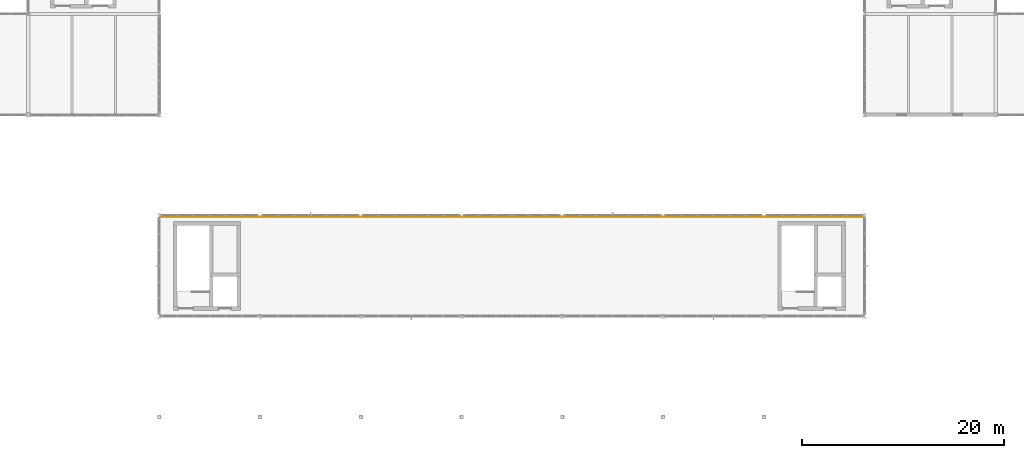
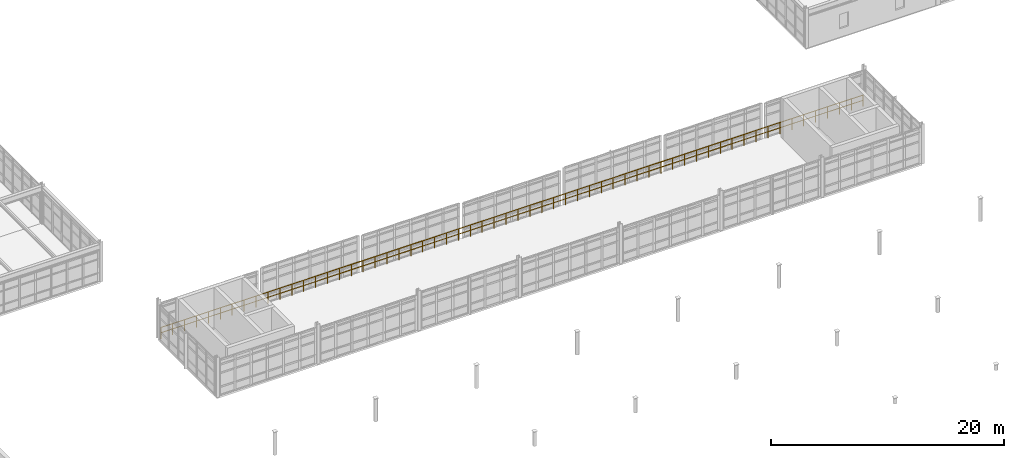
# One storey, part 116 of 122: 1 railing.
"""IFC4 building model written with IfcOpenShell, lengths in metres."""

import ifcopenshell
import ifcopenshell.guid

model = None  # the IFC model being written
_history = None  # IfcOwnerHistory: only IFC2X3 demands one
_inside = {}  # id of a spatial element -> (the spatial element, [elements in it])
_under = {}  # id of a project, library or spatial element -> (it, [spatial elements below it])
_declared = {}  # id of a project -> (the project, [libraries it declares])
_typed = {}  # id of a type object -> (the type object, [elements of that type])
_made_of = {}  # id of a material, layer set ... -> (it, [elements and type objects made of it])


def new_model(schema):
    """Start an empty IFC model of exactly this schema.

    Asked for "IFC4X3", IfcOpenShell would pick the latest addendum, in which some entities
    have other attributes; the version numbers below select the first issue.
    IFC2X3 requires an IfcOwnerHistory on every rooted entity: one is made here for all.
    """
    global model, _history
    if schema == "IFC4X3":
        model = ifcopenshell.file(schema_version=(4, 3, 0, 0))
    else:
        model = ifcopenshell.file(schema=schema)
    _inside.clear()
    _under.clear()
    _declared.clear()
    _typed.clear()
    _made_of.clear()
    _history = None
    if model.schema == "IFC2X3":
        org = make("IfcOrganization", Name="unknown")
        user = make(
            "IfcPersonAndOrganization",
            ThePerson=make("IfcPerson", FamilyName="unknown"),
            TheOrganization=org,
        )
        app = make(
            "IfcApplication",
            ApplicationDeveloper=org,
            Version="unknown",
            ApplicationFullName="unknown",
            ApplicationIdentifier="unknown",
        )
        _history = make(
            "IfcOwnerHistory",
            OwningUser=user,
            OwningApplication=app,
            ChangeAction="ADDED",
            CreationDate=0,
        )
    return model


def make(cls, **values):
    """One entity of the class cls with the attributes given. An attribute that is None is left unset."""
    return model.create_entity(
        cls, **{name: value for name, value in values.items() if value is not None}
    )


def rooted(cls, **values):
    """An entity with a GlobalId (a new one), such as an element, a storey or a relation."""
    return make(cls, GlobalId=ifcopenshell.guid.new(), OwnerHistory=_history, **values)


def si_unit(unit_type, name, prefix=None):
    """IfcSIUnit, for example si_unit("LENGTHUNIT", "METRE", prefix="MILLI")."""
    return make("IfcSIUnit", UnitType=unit_type, Prefix=prefix, Name=name)


def assignment(units):
    """IfcUnitAssignment: the units of a project."""
    return None if units is None else make("IfcUnitAssignment", Units=units)


def point(xyz):
    """IfcCartesianPoint."""
    return None if xyz is None else make("IfcCartesianPoint", Coordinates=xyz)


def direction(xyz):
    """IfcDirection."""
    return None if xyz is None else make("IfcDirection", DirectionRatios=xyz)


def frame(location, z_axis=None, x_axis=None):
    """IfcAxis2Placement3D, a coordinate frame: its origin and axes. An axis left out is left unset."""
    return make(
        "IfcAxis2Placement3D",
        Location=point(location),
        Axis=direction(z_axis),
        RefDirection=direction(x_axis),
    )


def frame_2d(location, x_axis=None):
    """IfcAxis2Placement2D, a coordinate frame in the plane: its origin and x axis."""
    return make(
        "IfcAxis2Placement2D", Location=point(location), RefDirection=direction(x_axis)
    )


def origin():
    """The frame at (0, 0, 0) with its axes left unset."""
    return frame((0.0, 0.0, 0.0))


def origin_2d():
    """The frame at (0, 0) in the plane with its x axis left unset."""
    return frame_2d((0.0, 0.0))


def place(relative_to, where):
    """IfcLocalPlacement: puts the frame where relative to a parent placement (None: the world)."""
    return make(
        "IfcLocalPlacement", PlacementRelTo=relative_to, RelativePlacement=where
    )


def context(
    kind, dimensions, precision=None, world=None, true_north=None, identifier=None
):
    """IfcGeometricRepresentationContext, for example the 3D "Model" context."""
    return make(
        "IfcGeometricRepresentationContext",
        ContextIdentifier=identifier,
        ContextType=kind,
        CoordinateSpaceDimension=dimensions,
        Precision=precision,
        WorldCoordinateSystem=world,
        TrueNorth=true_north,
    )


def subcontext(parent, identifier, kind, view, scale=None):
    """IfcGeometricRepresentationSubContext, for example "Body" below "Model"."""
    return make(
        "IfcGeometricRepresentationSubContext",
        ContextIdentifier=identifier,
        ContextType=kind,
        ParentContext=parent,
        TargetScale=scale,
        TargetView=view,
    )


def project(units=None, contexts=None):
    """IfcProject with its units and contexts."""
    return rooted(
        "IfcProject",
        Name="project",
        RepresentationContexts=contexts,
        UnitsInContext=assignment(units),
    )


def spatial(cls, under=None, at=None, **own):
    """A site, building, storey or space (cls), placed at a placement, below another one or the project."""
    s = rooted(cls, ObjectPlacement=at, **own)
    if under is not None:
        _under.setdefault(under.id(), (under, []))[1].append(s)
    return s


def profile(cls, at=None, kind="AREA", **sizes):
    """A parametric profile (cls). Its sizes go by their IFC names, for example OverallWidth=200.0."""
    return make(cls, ProfileType=kind, Position=at, **sizes)


def circle(**sizes):
    """IfcCircleProfileDef."""
    return profile("IfcCircleProfileDef", **sizes)


def extrude(swept, where, along, depth):
    """IfcExtrudedAreaSolid: the profile swept, set in the frame where, extruded along a direction by depth."""
    return make(
        "IfcExtrudedAreaSolid",
        SweptArea=swept,
        Position=where,
        ExtrudedDirection=direction(along),
        Depth=depth,
    )


def shape(context_of_items, identifier, shape_type, items):
    """IfcShapeRepresentation: the items that make up one representation, for example the "Body"."""
    return make(
        "IfcShapeRepresentation",
        ContextOfItems=context_of_items,
        RepresentationIdentifier=identifier,
        RepresentationType=shape_type,
        Items=items,
    )


def material(Name=None, Category=None):
    """IfcMaterial."""
    return make("IfcMaterial", Name=Name, Category=Category)


def made_of(thing, what):
    """Note that an element or type object is made of a material, layer set ...; save() writes the relation."""
    if what is not None:
        _made_of.setdefault(what.id(), (what, []))[1].append(thing)
    return thing


def type_object(cls, material=None, **own):
    """A type object (cls), such as IfcWallType, which elements share."""
    return made_of(rooted(cls, **own), material)


def element(
    cls,
    number,
    at=None,
    inside=None,
    cuts=None,
    type_object=None,
    material=None,
    context=None,
    identifier="Body",
    shape_type=None,
    held_by="IfcProductDefinitionShape",
    body=None,
    shapes=None,
    **own,
):
    """One element of the class cls, such as IfcWall. Its Tag is "e" and its number.

    at: its placement. inside: the storey or other place that contains it. cuts: it is an
    opening in that element (IfcRelVoidsElement). A single representation is given by context,
    identifier, shape_type and body (its items); several are given by shapes. held_by: the class
    of the entity that holds the representations. save() writes the other relations.
    """
    e = rooted(cls, Tag="e%d" % number, ObjectPlacement=at, **own)
    if body is not None:
        shapes = [shape(context, identifier, shape_type, body)]
    if shapes is not None:
        e.Representation = make(held_by, Representations=shapes)
    if inside is not None:
        _inside.setdefault(inside.id(), (inside, []))[1].append(e)
    if cuts is not None:
        rooted(
            "IfcRelVoidsElement", RelatingBuildingElement=cuts, RelatedOpeningElement=e
        )
    if type_object is not None:
        _typed.setdefault(type_object.id(), (type_object, []))[1].append(e)
    return made_of(e, material)


def aggregate(whole, parts):
    """IfcRelAggregates: a whole, such as a stair, and the parts it consists of."""
    return rooted("IfcRelAggregates", RelatingObject=whole, RelatedObjects=parts)


def save(model, path):
    """Write the relations noted so far, then the file.

    IfcRelAggregates (storeys below a building ...), IfcRelContainedInSpatialStructure (elements
    in a storey), IfcRelDefinesByType, IfcRelAssociatesMaterial and IfcRelDeclares: one each for
    every whole, place, type object, material and project.
    """
    for whole, parts in _under.values():
        aggregate(whole, parts)
    for where, things in _inside.values():
        rooted(
            "IfcRelContainedInSpatialStructure",
            RelatedElements=things,
            RelatingStructure=where,
        )
    for kind, things in _typed.values():
        rooted("IfcRelDefinesByType", RelatedObjects=things, RelatingType=kind)
    for what, things in _made_of.values():
        rooted("IfcRelAssociatesMaterial", RelatedObjects=things, RelatingMaterial=what)
    for by, libraries in _declared.values():
        rooted("IfcRelDeclares", RelatingContext=by, RelatedDefinitions=libraries)
    model.write(path)


model = new_model("IFC4")

# Units and contexts
model_context = context("Model", 3, precision=1e-05, world=origin(), true_north=direction((0.0, 1.0)))
body_context = subcontext(model_context, "Body", "Model", "MODEL_VIEW")
ifc_project = project(units=[si_unit("LENGTHUNIT", "METRE"), si_unit("AREAUNIT", "SQUARE_METRE"), si_unit("VOLUMEUNIT", "CUBIC_METRE"), si_unit("PLANEANGLEUNIT", "RADIAN"), si_unit("MASSUNIT", "GRAM", prefix="KILO"), si_unit("THERMODYNAMICTEMPERATUREUNIT", "KELVIN"), si_unit("POWERUNIT", "WATT")], contexts=[model_context])

# Site, building, storey
site_placement = place(None, origin())
site = spatial("IfcSite", under=ifc_project, at=site_placement, CompositionType="ELEMENT")
building_placement = place(site_placement, origin())
building = spatial("IfcBuilding", under=site, at=building_placement, Name="Korenveer Ferry Terminal", CompositionType="ELEMENT")
storey_placement = place(building_placement, frame((0.0, 0.0, 10.199951171875)))
storey = spatial("IfcBuildingStorey", under=building, at=storey_placement, Name="L02", CompositionType="ELEMENT", Elevation=10.199951171875)

# Railing
ifc_material = material(Name="Marine stainless and bronze balustrade", Category="aluminium")
railing_type = type_object("IfcRailingType", Name="ENV-RL-BAL120", PredefinedType="BALUSTRADE", material=ifc_material)
railing_placement = place(storey_placement, frame((53.14990234375, 59.8798828125, 0.0)))
element("IfcRailing", 1, at=railing_placement, inside=storey, type_object=railing_type, Name="Atrium and gallery balustrade 12", PredefinedType="BALUSTRADE", context=body_context, shape_type="SweptSolid", body=[
    extrude(circle(Radius=0.02392578125, at=origin_2d()), frame((0.0, 0.0, 1.17578125), z_axis=(1.0, 0.0, 0.0), x_axis=(0.0, 1.0, 0.0)), (0.0, 0.0, 1.0), 69.7001953125),
    extrude(circle(Radius=0.01806640625, at=origin_2d()), frame((0.0, 0.0, 0.6240234375), z_axis=(1.0, 0.0, 0.0), x_axis=(0.0, 1.0, 0.0)), (0.0, 0.0, 1.0), 69.7001953125),
    extrude(circle(Radius=0.02099609375, at=origin_2d()), origin(), (0.0, 0.0, 1.0), 1.15185546875),
    extrude(circle(Radius=0.02099609375, at=origin_2d()), frame((1.181396484375, 0.0, 0.0)), (0.0, 0.0, 1.0), 1.15185546875),
    extrude(circle(Radius=0.02099609375, at=origin_2d()), frame((2.36279296875, 0.0, 0.0)), (0.0, 0.0, 1.0), 1.15185546875),
    extrude(circle(Radius=0.02099609375, at=origin_2d()), frame((3.544189453125, 0.0, 0.0)), (0.0, 0.0, 1.0), 1.15185546875),
    extrude(circle(Radius=0.02099609375, at=origin_2d()), frame((4.725341796875, 0.0, 0.0)), (0.0, 0.0, 1.0), 1.15185546875),
    extrude(circle(Radius=0.02099609375, at=origin_2d()), frame((5.90673828125, 0.0, 0.0)), (0.0, 0.0, 1.0), 1.15185546875),
    extrude(circle(Radius=0.02099609375, at=origin_2d()), frame((7.088134765625, 0.0, 0.0)), (0.0, 0.0, 1.0), 1.15185546875),
    extrude(circle(Radius=0.02099609375, at=origin_2d()), frame((8.26953125, 0.0, 0.0)), (0.0, 0.0, 1.0), 1.15185546875),
    extrude(circle(Radius=0.02099609375, at=origin_2d()), frame((9.450927734375, 0.0, 0.0)), (0.0, 0.0, 1.0), 1.15185546875),
    extrude(circle(Radius=0.02099609375, at=origin_2d()), frame((10.63232421875, 0.0, 0.0)), (0.0, 0.0, 1.0), 1.15185546875),
    extrude(circle(Radius=0.02099609375, at=origin_2d()), frame((11.8134765625, 0.0, 0.0)), (0.0, 0.0, 1.0), 1.15185546875),
    extrude(circle(Radius=0.02099609375, at=origin_2d()), frame((12.994873046875, 0.0, 0.0)), (0.0, 0.0, 1.0), 1.15185546875),
    extrude(circle(Radius=0.02099609375, at=origin_2d()), frame((14.17626953125, 0.0, 0.0)), (0.0, 0.0, 1.0), 1.15185546875),
    extrude(circle(Radius=0.02099609375, at=origin_2d()), frame((15.357666015625, 0.0, 0.0)), (0.0, 0.0, 1.0), 1.15185546875),
    extrude(circle(Radius=0.02099609375, at=origin_2d()), frame((16.5390625, 0.0, 0.0)), (0.0, 0.0, 1.0), 1.15185546875),
    extrude(circle(Radius=0.02099609375, at=origin_2d()), frame((17.720458984375, 0.0, 0.0)), (0.0, 0.0, 1.0), 1.15185546875),
    extrude(circle(Radius=0.02099609375, at=origin_2d()), frame((18.90185546875, 0.0, 0.0)), (0.0, 0.0, 1.0), 1.15185546875),
    extrude(circle(Radius=0.02099609375, at=origin_2d()), frame((20.0830078125, 0.0, 0.0)), (0.0, 0.0, 1.0), 1.15185546875),
    extrude(circle(Radius=0.02099609375, at=origin_2d()), frame((21.264404296875, 0.0, 0.0)), (0.0, 0.0, 1.0), 1.15185546875),
    extrude(circle(Radius=0.02099609375, at=origin_2d()), frame((22.44580078125, 0.0, 0.0)), (0.0, 0.0, 1.0), 1.15185546875),
    extrude(circle(Radius=0.02099609375, at=origin_2d()), frame((23.627197265625, 0.0, 0.0)), (0.0, 0.0, 1.0), 1.15185546875),
    extrude(circle(Radius=0.02099609375, at=origin_2d()), frame((24.80859375, 0.0, 0.0)), (0.0, 0.0, 1.0), 1.15185546875),
    extrude(circle(Radius=0.02099609375, at=origin_2d()), frame((25.989990234375, 0.0, 0.0)), (0.0, 0.0, 1.0), 1.15185546875),
    extrude(circle(Radius=0.02099609375, at=origin_2d()), frame((27.171142578125, 0.0, 0.0)), (0.0, 0.0, 1.0), 1.15185546875),
    extrude(circle(Radius=0.02099609375, at=origin_2d()), frame((28.3525390625, 0.0, 0.0)), (0.0, 0.0, 1.0), 1.15185546875),
    extrude(circle(Radius=0.02099609375, at=origin_2d()), frame((29.533935546875, 0.0, 0.0)), (0.0, 0.0, 1.0), 1.15185546875),
    extrude(circle(Radius=0.02099609375, at=origin_2d()), frame((30.71533203125, 0.0, 0.0)), (0.0, 0.0, 1.0), 1.15185546875),
    extrude(circle(Radius=0.02099609375, at=origin_2d()), frame((31.896728515625, 0.0, 0.0)), (0.0, 0.0, 1.0), 1.15185546875),
    extrude(circle(Radius=0.02099609375, at=origin_2d()), frame((33.078125, 0.0, 0.0)), (0.0, 0.0, 1.0), 1.15185546875),
    extrude(circle(Radius=0.02099609375, at=origin_2d()), frame((34.259521484375, 0.0, 0.0)), (0.0, 0.0, 1.0), 1.15185546875),
    extrude(circle(Radius=0.02099609375, at=origin_2d()), frame((35.440673828125, 0.0, 0.0)), (0.0, 0.0, 1.0), 1.15185546875),
    extrude(circle(Radius=0.02099609375, at=origin_2d()), frame((36.6220703125, 0.0, 0.0)), (0.0, 0.0, 1.0), 1.15185546875),
    extrude(circle(Radius=0.02099609375, at=origin_2d()), frame((37.803466796875, 0.0, 0.0)), (0.0, 0.0, 1.0), 1.15185546875),
    extrude(circle(Radius=0.02099609375, at=origin_2d()), frame((38.98486328125, 0.0, 0.0)), (0.0, 0.0, 1.0), 1.15185546875),
    extrude(circle(Radius=0.02099609375, at=origin_2d()), frame((40.166259765625, 0.0, 0.0)), (0.0, 0.0, 1.0), 1.15185546875),
    extrude(circle(Radius=0.02099609375, at=origin_2d()), frame((41.34765625, 0.0, 0.0)), (0.0, 0.0, 1.0), 1.15185546875),
    extrude(circle(Radius=0.02099609375, at=origin_2d()), frame((42.529052734375, 0.0, 0.0)), (0.0, 0.0, 1.0), 1.15185546875),
    extrude(circle(Radius=0.02099609375, at=origin_2d()), frame((43.710205078125, 0.0, 0.0)), (0.0, 0.0, 1.0), 1.15185546875),
    extrude(circle(Radius=0.02099609375, at=origin_2d()), frame((44.8916015625, 0.0, 0.0)), (0.0, 0.0, 1.0), 1.15185546875),
    extrude(circle(Radius=0.02099609375, at=origin_2d()), frame((46.072998046875, 0.0, 0.0)), (0.0, 0.0, 1.0), 1.15185546875),
    extrude(circle(Radius=0.02099609375, at=origin_2d()), frame((47.25439453125, 0.0, 0.0)), (0.0, 0.0, 1.0), 1.15185546875),
    extrude(circle(Radius=0.02099609375, at=origin_2d()), frame((48.435791015625, 0.0, 0.0)), (0.0, 0.0, 1.0), 1.15185546875),
    extrude(circle(Radius=0.02099609375, at=origin_2d()), frame((49.6171875, 0.0, 0.0)), (0.0, 0.0, 1.0), 1.15185546875),
    extrude(circle(Radius=0.02099609375, at=origin_2d()), frame((50.79833984375, 0.0, 0.0)), (0.0, 0.0, 1.0), 1.15185546875),
    extrude(circle(Radius=0.02099609375, at=origin_2d()), frame((51.979736328125, 0.0, 0.0)), (0.0, 0.0, 1.0), 1.15185546875),
    extrude(circle(Radius=0.02099609375, at=origin_2d()), frame((53.1611328125, 0.0, 0.0)), (0.0, 0.0, 1.0), 1.15185546875),
    extrude(circle(Radius=0.02099609375, at=origin_2d()), frame((54.342529296875, 0.0, 0.0)), (0.0, 0.0, 1.0), 1.15185546875),
    extrude(circle(Radius=0.02099609375, at=origin_2d()), frame((55.52392578125, 0.0, 0.0)), (0.0, 0.0, 1.0), 1.15185546875),
    extrude(circle(Radius=0.02099609375, at=origin_2d()), frame((56.705322265625, 0.0, 0.0)), (0.0, 0.0, 1.0), 1.15185546875),
    extrude(circle(Radius=0.02099609375, at=origin_2d()), frame((57.88671875, 0.0, 0.0)), (0.0, 0.0, 1.0), 1.15185546875),
    extrude(circle(Radius=0.02099609375, at=origin_2d()), frame((59.06787109375, 0.0, 0.0)), (0.0, 0.0, 1.0), 1.15185546875),
    extrude(circle(Radius=0.02099609375, at=origin_2d()), frame((60.249267578125, 0.0, 0.0)), (0.0, 0.0, 1.0), 1.15185546875),
    extrude(circle(Radius=0.02099609375, at=origin_2d()), frame((61.4306640625, 0.0, 0.0)), (0.0, 0.0, 1.0), 1.15185546875),
    extrude(circle(Radius=0.02099609375, at=origin_2d()), frame((62.612060546875, 0.0, 0.0)), (0.0, 0.0, 1.0), 1.15185546875),
    extrude(circle(Radius=0.02099609375, at=origin_2d()), frame((63.79345703125, 0.0, 0.0)), (0.0, 0.0, 1.0), 1.15185546875),
    extrude(circle(Radius=0.02099609375, at=origin_2d()), frame((64.974853515625, 0.0, 0.0)), (0.0, 0.0, 1.0), 1.15185546875),
    extrude(circle(Radius=0.02099609375, at=origin_2d()), frame((66.156005859375, 0.0, 0.0)), (0.0, 0.0, 1.0), 1.15185546875),
    extrude(circle(Radius=0.02099609375, at=origin_2d()), frame((67.33740234375, 0.0, 0.0)), (0.0, 0.0, 1.0), 1.15185546875),
    extrude(circle(Radius=0.02099609375, at=origin_2d()), frame((68.518798828125, 0.0, 0.0)), (0.0, 0.0, 1.0), 1.15185546875),
    extrude(circle(Radius=0.02099609375, at=origin_2d()), frame((69.7001953125, 0.0, 0.0)), (0.0, 0.0, 1.0), 1.15185546875),
])

save(model, "model.ifc")
